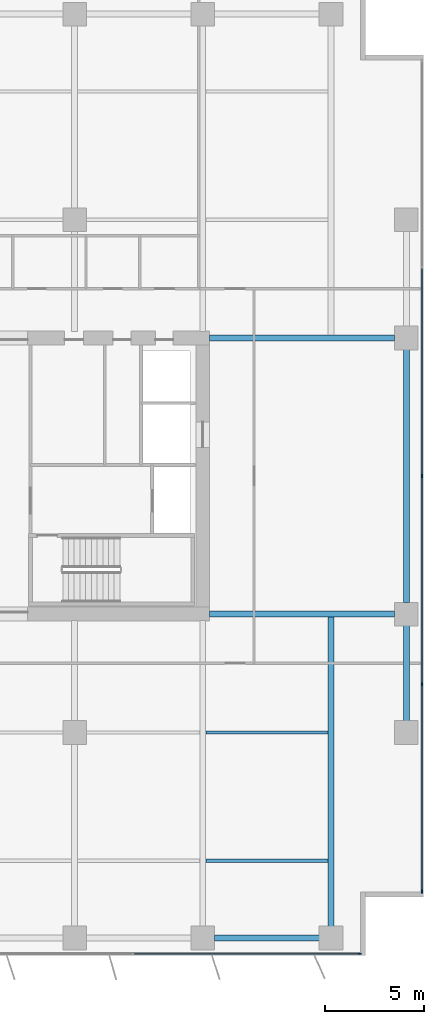
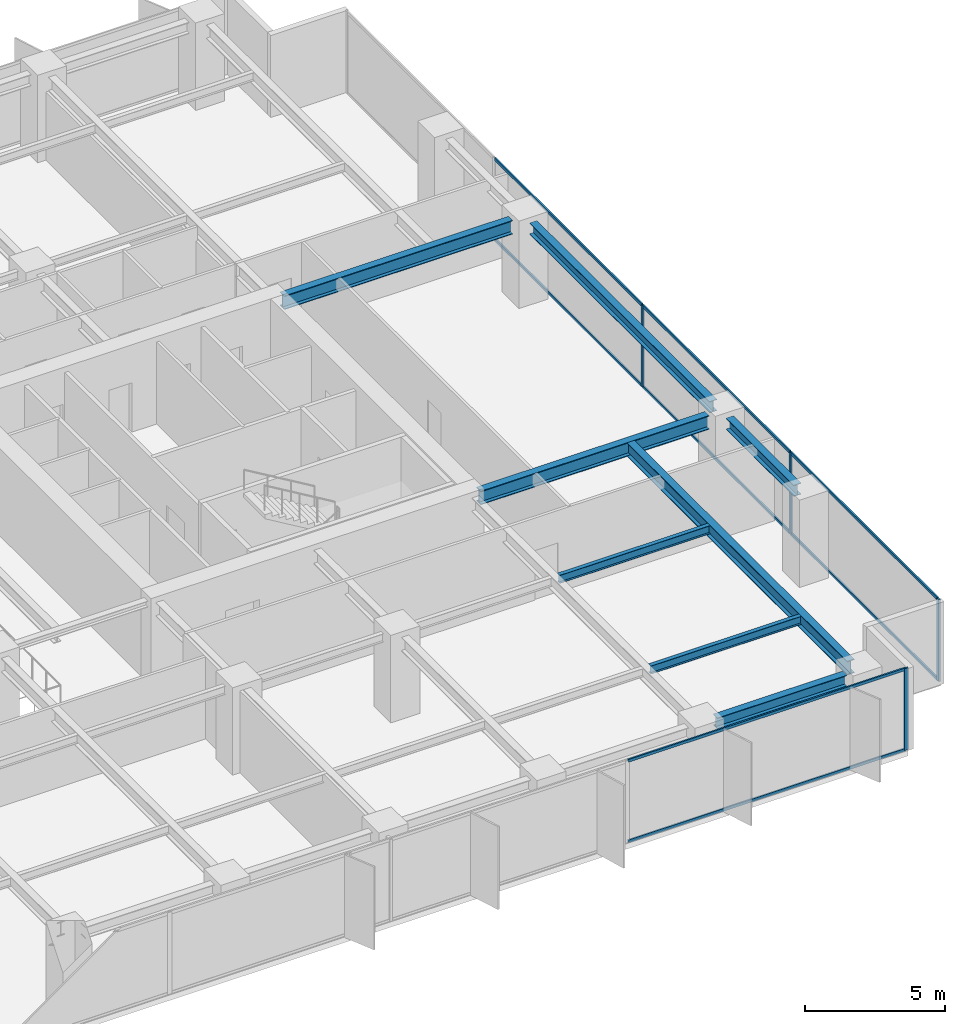
# One storey, part 10 of 20: 12 members, 8 beams, 2 elements without a shape of their own.
"""IFC4 building model written with IfcOpenShell, lengths in metres."""

from ifc_helpers import new_model, si_unit, direction, frame, origin, origin_2d, place, context, subcontext, project, spatial, rectangle, i_section, extrude, material, layer, layer_set, material_profile, profile_set, type_object, element, aggregate, save


model = new_model("IFC4")

# Units and contexts
model_context = context("Model", 3, precision=1e-05, world=origin(), true_north=direction((0.0, 1.0)))
body_context = subcontext(model_context, "Body", "Model", "MODEL_VIEW")
ifc_project = project(units=[si_unit("LENGTHUNIT", "METRE"), si_unit("AREAUNIT", "SQUARE_METRE"), si_unit("VOLUMEUNIT", "CUBIC_METRE"), si_unit("PLANEANGLEUNIT", "RADIAN"), si_unit("MASSUNIT", "GRAM", prefix="KILO")], contexts=[model_context])

# Site, building, storey
site_placement = place(None, origin())
site = spatial("IfcSite", under=ifc_project, at=site_placement, CompositionType="ELEMENT")
building_placement = place(site_placement, origin())
building = spatial("IfcBuilding", under=site, at=building_placement, Name="Putna Gate Headquarters", CompositionType="ELEMENT")
storey_placement = place(building_placement, frame((0.0, 0.0, 89.800048828125)))
storey = spatial("IfcBuildingStorey", under=building, at=storey_placement, Name="L21", CompositionType="ELEMENT", Elevation=89.800048828125)

# Beams
ifc_material_1 = material(Name="Steel S355J2", Category="steel")
ifc_material_profile_1 = material_profile(ifc_material_1, i_section(OverallWidth=0.300048828125, OverallDepth=0.60009765625, WebThickness=0.015380859375, FlangeThickness=0.030029296875, at=origin_2d()), Name="Steel S355J2")
ifc_profile_set_1 = profile_set([ifc_material_profile_1], Name="Steel S355J2")
beam_type_1 = type_object("IfcBeamType", Name="BM-GIRD-Z2-HEB600", PredefinedType="USERDEFINED", material=ifc_profile_set_1)
for number, where, z_axis, x_axis, name in (
    (1, (65.3349609375, 19.0, 3.264892578125), (1.0, 0.0, 0.0), (0.0, 1.0, 0.0), "L21 East Wing Girder Y19"),
    (2, (65.3349609375, 33.0, 3.264892578125), (1.0, 0.0, 0.0), (0.0, 1.0, 0.0), "L21 East Wing Girder Y33"),
):
    element("IfcBeam", number, at=place(storey_placement, frame(where, z_axis=z_axis, x_axis=x_axis)), inside=storey, type_object=beam_type_1, Name=name, ObjectType="GIRDER", PredefinedType="USERDEFINED", context=body_context, shape_type="SweptSolid", body=[
        extrude(i_section(OverallWidth=0.300048828125, OverallDepth=0.60009765625, WebThickness=0.015380859375, FlangeThickness=0.030029296875, at=origin_2d()), origin(), (0.0, 0.0, 1.0), 9.39697265625),
    ])
beam_1_placement = place(storey_placement, frame((71.5, 3.16796875, 3.264892578125), z_axis=(0.0, 1.0, 0.0), x_axis=(-1.0, 0.0, 0.0)))
element("IfcBeam", 3, at=beam_1_placement, inside=storey, type_object=beam_type_1, Name="L21 South Primary Girder X71", ObjectType="GIRDER", PredefinedType="USERDEFINED", context=body_context, shape_type="SweptSolid", body=[
    extrude(i_section(OverallWidth=0.300048828125, OverallDepth=0.60009765625, WebThickness=0.015380859375, FlangeThickness=0.030029296875, at=origin_2d()), origin(), (0.0, 0.0, 1.0), 15.820068359375),
])
ifc_material_profile_2 = material_profile(ifc_material_1, i_section(OverallWidth=0.169921875, OverallDepth=0.360107421875, WebThickness=0.008056640625, FlangeThickness=0.0126953125, at=origin_2d()), Name="Steel S355J2")
ifc_profile_set_2 = profile_set([ifc_material_profile_2], Name="Steel S355J2")
beam_type_2 = type_object("IfcBeamType", Name="BM-SEC-Z2-IPE360", PredefinedType="BEAM", material=ifc_profile_set_2)
for number, where, z_axis, x_axis, name in (
    (4, (65.154052734375, 6.5, 3.385009765625), (1.0, 0.0, 0.0), (0.0, 1.0, 0.0), "L21 South Secondary Beam 10"),
    (5, (65.154052734375, 13.0, 3.385009765625), (1.0, 0.0, 0.0), (0.0, 1.0, 0.0), "L21 South Secondary Beam 10"),
):
    element("IfcBeam", number, at=place(storey_placement, frame(where, z_axis=z_axis, x_axis=x_axis)), inside=storey, type_object=beam_type_2, Name=name, PredefinedType="BEAM", context=body_context, shape_type="SweptSolid", body=[
        extrude(i_section(OverallWidth=0.169921875, OverallDepth=0.360107421875, WebThickness=0.008056640625, FlangeThickness=0.0126953125, at=origin_2d()), origin(), (0.0, 0.0, 1.0), 6.19189453125),
    ])
ifc_material_profile_3 = material_profile(ifc_material_1, i_section(OverallWidth=0.300048828125, OverallDepth=0.489990234375, WebThickness=0.011962890625, FlangeThickness=0.02294921875, at=origin_2d()), Name="Steel S355J2")
ifc_profile_set_3 = profile_set([ifc_material_profile_3], Name="Steel S355J2")
beam_type_3 = type_object("IfcBeamType", Name="BM-SPAN-Z2-HEA500", PredefinedType="SPANDREL", material=ifc_profile_set_3)
beam_2_placement = place(storey_placement, frame((65.587890625, 2.580078125, 3.320068359375), z_axis=(1.0, 0.0, 0.0), x_axis=(0.0, 1.0, 0.0)))
element("IfcBeam", 6, at=beam_2_placement, inside=storey, type_object=beam_type_3, Name="L21 S Perimeter Spandrel 10", PredefinedType="SPANDREL", context=body_context, shape_type="SweptSolid", body=[
    extrude(i_section(OverallWidth=0.300048828125, OverallDepth=0.489990234375, WebThickness=0.011962890625, FlangeThickness=0.02294921875, at=origin_2d()), origin(), (0.0, 0.0, 1.0), 5.32421875),
])
beam_3_placement = place(storey_placement, frame((75.320068359375, 13.587890625, 3.320068359375), z_axis=(0.0, 1.0, 0.0), x_axis=(-1.0, 0.0, 0.0)))
element("IfcBeam", 7, at=beam_3_placement, inside=storey, type_object=beam_type_3, Name="L21 E End Spandrel 1", PredefinedType="SPANDREL", context=body_context, shape_type="SweptSolid", body=[
    extrude(i_section(OverallWidth=0.300048828125, OverallDepth=0.489990234375, WebThickness=0.011962890625, FlangeThickness=0.02294921875, at=origin_2d()), origin(), (0.0, 0.0, 1.0), 4.82421875),
])
beam_4_placement = place(storey_placement, frame((75.320068359375, 19.587890625, 3.320068359375), z_axis=(0.0, 1.0, 0.0), x_axis=(-1.0, 0.0, 0.0)))
element("IfcBeam", 8, at=beam_4_placement, inside=storey, type_object=beam_type_3, Name="L21 E End Spandrel 2", PredefinedType="SPANDREL", context=body_context, shape_type="SweptSolid", body=[
    extrude(i_section(OverallWidth=0.300048828125, OverallDepth=0.489990234375, WebThickness=0.011962890625, FlangeThickness=0.02294921875, at=origin_2d()), origin(), (0.0, 0.0, 1.0), 12.82421875),
])

# Curtain wall, member
ifc_material_2 = material(Name="Anodised bronze aluminium curtain wall", Category="aluminium")
ifc_layer = layer(ifc_material_2, 0.159912109375)
ifc_layer_set = layer_set([ifc_layer], Name="Anodised bronze aluminium curtain wall")
curtain_wall_type = type_object("IfcCurtainWallType", Name="CW-SYS-Z2", PredefinedType="USERDEFINED", material=ifc_layer_set)
curtain_wall_1_placement = place(storey_placement, origin())
curtain_wall_1 = element("IfcCurtainWall", 9, at=curtain_wall_1_placement, inside=storey, type_object=curtain_wall_type, Name="L21 South East Curtain Wall", ObjectType="STICK CURTAIN WALL", PredefinedType="USERDEFINED")
ifc_material_3 = material(Name="Anodised bronze aluminium EN AW-6060", Category="aluminium")
ifc_material_profile_4 = material_profile(ifc_material_3, rectangle(XDim=0.06494140625, YDim=0.159912109375, at=origin_2d()), Name="Anodised bronze aluminium EN AW-6060")
ifc_profile_set_4 = profile_set([ifc_material_profile_4], Name="Anodised bronze aluminium EN AW-6060")
member_type_1 = type_object("IfcMemberType", Name="MULL-CWM-2", PredefinedType="MULLION", material=ifc_profile_set_4)
member_1_placement = place(storey_placement, frame((72.967529296875, 1.780029296875, 0.0), z_axis=(0.0, 0.0, 1.0), x_axis=(0.0, 1.0, 0.0)))
member_1 = element("IfcMember", 10, at=member_1_placement, type_object=member_type_1, Name="CWS-2 mullion 3", PredefinedType="MULLION", context=body_context, shape_type="SweptSolid", body=[
    extrude(rectangle(XDim=0.06494140625, YDim=0.159912109375, at=origin_2d()), origin(), (0.0, 0.0, 1.0), 3.56494140625),
])

# Curtain wall, members
curtain_wall_2_placement = place(storey_placement, origin())
curtain_wall_2 = element("IfcCurtainWall", 11, at=curtain_wall_2_placement, inside=storey, type_object=curtain_wall_type, Name="L21 East Curtain Wall", ObjectType="STICK CURTAIN WALL", PredefinedType="USERDEFINED")
member_2_placement = place(storey_placement, frame((76.1201171875, 4.9326171875, 0.0), z_axis=(0.0, 0.0, 1.0), x_axis=(-1.0, 0.0, 0.0)))
member_2 = element("IfcMember", 12, at=member_2_placement, type_object=member_type_1, Name="CWS-2 mullion 1", PredefinedType="MULLION", context=body_context, shape_type="SweptSolid", body=[
    extrude(rectangle(XDim=0.06494140625, YDim=0.159912109375, at=origin_2d()), origin(), (0.0, 0.0, 1.0), 3.56494140625),
])
member_3_placement = place(storey_placement, frame((76.1201171875, 15.449951171875, 0.0), z_axis=(0.0, 0.0, 1.0), x_axis=(-1.0, 0.0, 0.0)))
member_3 = element("IfcMember", 13, at=member_3_placement, type_object=member_type_1, Name="CWS-2 mullion 2", PredefinedType="MULLION", context=body_context, shape_type="SweptSolid", body=[
    extrude(rectangle(XDim=0.06494140625, YDim=0.159912109375, at=origin_2d()), origin(), (0.0, 0.0, 1.0), 3.56494140625),
])
member_4_placement = place(storey_placement, frame((76.1201171875, 26.0, 0.0), z_axis=(0.0, 0.0, 1.0), x_axis=(-1.0, 0.0, 0.0)))
member_4 = element("IfcMember", 14, at=member_4_placement, type_object=member_type_1, Name="CWS-2 mullion 3", PredefinedType="MULLION", context=body_context, shape_type="SweptSolid", body=[
    extrude(rectangle(XDim=0.06494140625, YDim=0.159912109375, at=origin_2d()), origin(), (0.0, 0.0, 1.0), 3.56494140625),
])

# Member
ifc_material_profile_5 = material_profile(ifc_material_3, rectangle(XDim=0.06494140625, YDim=0.1201171875, at=origin_2d()), Name="Anodised bronze aluminium EN AW-6060")
ifc_profile_set_5 = profile_set([ifc_material_profile_5], Name="Anodised bronze aluminium EN AW-6060")
member_type_2 = type_object("IfcMemberType", Name="TRAN-CWT-2", PredefinedType="USERDEFINED", material=ifc_profile_set_5)
member_5_placement = place(storey_placement, frame((61.532470703125, 1.780029296875, 0.032470703125), z_axis=(1.0, 0.0, 0.0), x_axis=(0.0, 1.0, 0.0)))
member_5 = element("IfcMember", 15, at=member_5_placement, type_object=member_type_2, Name="CWS-2 transom 2.1", ObjectType="TRANSOM", PredefinedType="USERDEFINED", context=body_context, shape_type="SweptSolid", body=[
    extrude(rectangle(XDim=0.06494140625, YDim=0.1201171875, at=origin_2d()), origin(), (0.0, 0.0, 1.0), 11.402587890625),
])

member_6_placement = place(storey_placement, frame((61.532470703125, 1.780029296875, 3.532470703125), z_axis=(1.0, 0.0, 0.0), x_axis=(0.0, 1.0, 0.0)))
member_6 = element("IfcMember", 16, at=member_6_placement, type_object=member_type_2, Name="CWS-2 transom 2.2", ObjectType="TRANSOM", PredefinedType="USERDEFINED", context=body_context, shape_type="SweptSolid", body=[
    extrude(rectangle(XDim=0.06494140625, YDim=0.1201171875, at=origin_2d()), origin(), (0.0, 0.0, 1.0), 11.402587890625),
])

aggregate(curtain_wall_1, [member_1, member_5, member_6])

member_7_placement = place(storey_placement, frame((76.1201171875, 4.965087890625, 0.032470703125), z_axis=(0.0, 1.0, 0.0), x_axis=(-1.0, 0.0, 0.0)))
member_7 = element("IfcMember", 17, at=member_7_placement, type_object=member_type_2, Name="CWS-2 transom 1.1", ObjectType="TRANSOM", PredefinedType="USERDEFINED", context=body_context, shape_type="SweptSolid", body=[
    extrude(rectangle(XDim=0.06494140625, YDim=0.1201171875, at=origin_2d()), origin(), (0.0, 0.0, 1.0), 10.452392578125),
])

member_8_placement = place(storey_placement, frame((76.1201171875, 4.965087890625, 3.532470703125), z_axis=(0.0, 1.0, 0.0), x_axis=(-1.0, 0.0, 0.0)))
member_8 = element("IfcMember", 18, at=member_8_placement, type_object=member_type_2, Name="CWS-2 transom 1.2", ObjectType="TRANSOM", PredefinedType="USERDEFINED", context=body_context, shape_type="SweptSolid", body=[
    extrude(rectangle(XDim=0.06494140625, YDim=0.1201171875, at=origin_2d()), origin(), (0.0, 0.0, 1.0), 10.452392578125),
])

member_9_placement = place(storey_placement, frame((76.1201171875, 15.482421875, 0.032470703125), z_axis=(0.0, 1.0, 0.0), x_axis=(-1.0, 0.0, 0.0)))
member_9 = element("IfcMember", 19, at=member_9_placement, type_object=member_type_2, Name="CWS-2 transom 2.1", ObjectType="TRANSOM", PredefinedType="USERDEFINED", context=body_context, shape_type="SweptSolid", body=[
    extrude(rectangle(XDim=0.06494140625, YDim=0.1201171875, at=origin_2d()), origin(), (0.0, 0.0, 1.0), 10.485107421875),
])

member_10_placement = place(storey_placement, frame((76.1201171875, 15.482421875, 3.532470703125), z_axis=(0.0, 1.0, 0.0), x_axis=(-1.0, 0.0, 0.0)))
member_10 = element("IfcMember", 20, at=member_10_placement, type_object=member_type_2, Name="CWS-2 transom 2.2", ObjectType="TRANSOM", PredefinedType="USERDEFINED", context=body_context, shape_type="SweptSolid", body=[
    extrude(rectangle(XDim=0.06494140625, YDim=0.1201171875, at=origin_2d()), origin(), (0.0, 0.0, 1.0), 10.485107421875),
])

member_11_placement = place(storey_placement, frame((76.1201171875, 26.032470703125, 0.032470703125), z_axis=(0.0, 1.0, 0.0), x_axis=(-1.0, 0.0, 0.0)))
member_11 = element("IfcMember", 21, at=member_11_placement, type_object=member_type_2, Name="CWS-2 transom 3.1", ObjectType="TRANSOM", PredefinedType="USERDEFINED", context=body_context, shape_type="SweptSolid", body=[
    extrude(rectangle(XDim=0.06494140625, YDim=0.1201171875, at=origin_2d()), origin(), (0.0, 0.0, 1.0), 10.485107421875),
])

member_12_placement = place(storey_placement, frame((76.1201171875, 26.032470703125, 3.532470703125), z_axis=(0.0, 1.0, 0.0), x_axis=(-1.0, 0.0, 0.0)))
member_12 = element("IfcMember", 22, at=member_12_placement, type_object=member_type_2, Name="CWS-2 transom 3.2", ObjectType="TRANSOM", PredefinedType="USERDEFINED", context=body_context, shape_type="SweptSolid", body=[
    extrude(rectangle(XDim=0.06494140625, YDim=0.1201171875, at=origin_2d()), origin(), (0.0, 0.0, 1.0), 10.485107421875),
])

aggregate(curtain_wall_2, [member_2, member_3, member_4, member_7, member_8, member_9, member_10, member_11, member_12])

save(model, "model.ifc")
